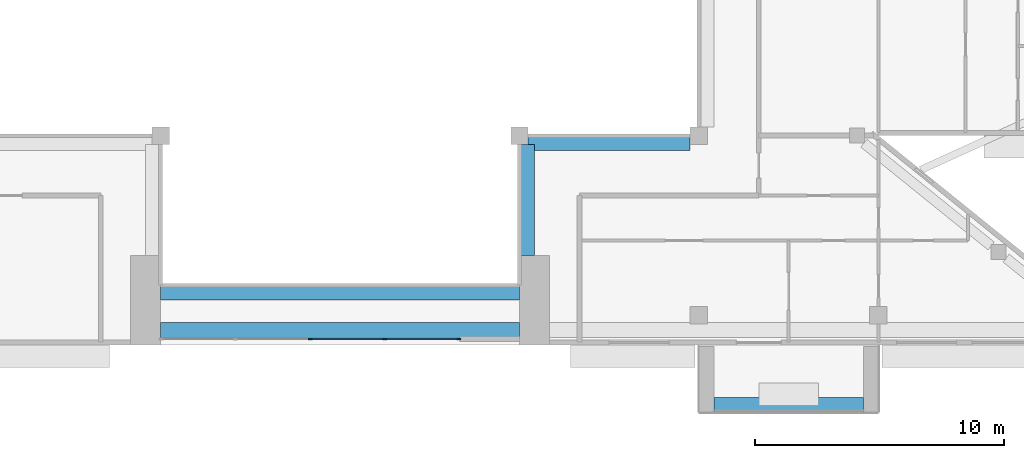
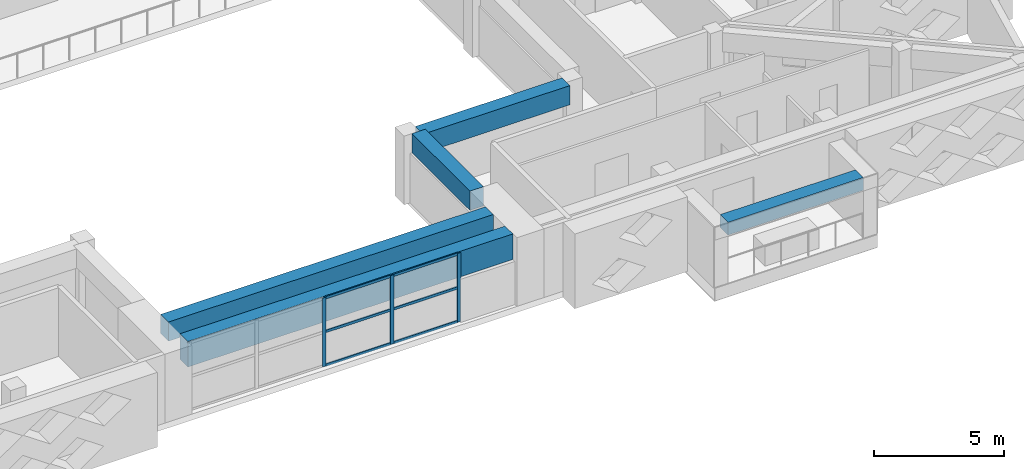
# One storey, part 4 of 19: 9 members, 5 beams, 1 element without a shape of its own.
"""IFC4 building model written with IfcOpenShell, lengths in metres."""

from ifc_helpers import new_model, si_unit, direction, frame, origin, origin_2d, place, context, subcontext, project, spatial, rectangle, extrude, source, transform, mapped, material, layer, layer_set, material_profile, profile_set, type_object, element, aggregate, save


model = new_model("IFC4")

# Units and contexts
model_context = context("Model", 3, precision=1e-05, world=origin(), true_north=direction((0.0, 1.0)))
body_context = subcontext(model_context, "Body", "Model", "MODEL_VIEW")
ifc_project = project(units=[si_unit("LENGTHUNIT", "METRE"), si_unit("AREAUNIT", "SQUARE_METRE"), si_unit("VOLUMEUNIT", "CUBIC_METRE"), si_unit("PLANEANGLEUNIT", "RADIAN"), si_unit("MASSUNIT", "GRAM", prefix="KILO")], contexts=[model_context])

# Site, building, storey
site_placement = place(None, origin())
site = spatial("IfcSite", under=ifc_project, at=site_placement, CompositionType="ELEMENT")
building_placement = place(site_placement, origin())
building = spatial("IfcBuilding", under=site, at=building_placement, Name="Saffron Iwan Residences", CompositionType="ELEMENT")
storey_placement = place(building_placement, frame((0.0, 0.0, 253.5)))
storey = spatial("IfcBuildingStorey", under=building, at=storey_placement, Name="L68", CompositionType="ELEMENT", Elevation=253.5)

# Beams
ifc_material_1 = material(Name="Concrete C40/50", Category="concrete")
ifc_material_profile_1 = material_profile(ifc_material_1, rectangle(XDim=0.60009765625, YDim=1.199951171875, at=origin_2d()), Name="RC 600x1200")
ifc_profile_set_1 = profile_set([ifc_material_profile_1], Name="Concrete C40/50")
beam_type_1 = type_object("IfcBeamType", Name="LINTEL BEAM RC 600x1200 C40/50 TOP 3220", PredefinedType="LINTEL", material=ifc_profile_set_1)
shared_shape_1 = source(origin(), body_context, "Body", "SweptSolid", [
    extrude(rectangle(XDim=0.60009765625, YDim=1.199951171875, at=origin_2d()), origin(), (0.0, 0.0, 1.0), 14.400146484375),
])
beam_1_placement = place(storey_placement, frame((57.60009765625, 40.199951171875, 2.6201171875), z_axis=(-1.0, 0.0, 0.0), x_axis=(0.0, -1.0, 0.0)))
element("IfcBeam", 1, at=beam_1_placement, inside=storey, type_object=beam_type_1, Name="Lintel beam over the iwan", PredefinedType="LINTEL", context=body_context, shape_type="MappedRepresentation", body=[
    mapped(shared_shape_1, transform((0.0, 0.0, 0.0))),
])
ifc_material_profile_2 = material_profile(ifc_material_1, rectangle(XDim=0.60009765625, YDim=0.89990234375, at=origin_2d()), Name="RC 600x900")
ifc_profile_set_2 = profile_set([ifc_material_profile_2], Name="Concrete C40/50")
beam_type_2 = type_object("IfcBeamType", Name="BEAM RC 600x900 C40/50 TOP 3220", PredefinedType="BEAM", material=ifc_profile_set_2)
shared_shape_2 = source(origin(), body_context, "Body", "SweptSolid", [
    extrude(rectangle(XDim=0.60009765625, YDim=0.89990234375, at=origin_2d()), origin(), (0.0, 0.0, 1.0), 14.400146484375),
])
beam_2_placement = place(storey_placement, frame((57.60009765625, 41.699951171875, 2.77001953125), z_axis=(-1.0, 0.0, 0.0), x_axis=(0.0, -1.0, 0.0)))
element("IfcBeam", 2, at=beam_2_placement, inside=storey, type_object=beam_type_2, Name="Atrium edge beam", PredefinedType="BEAM", context=body_context, shape_type="MappedRepresentation", body=[
    mapped(shared_shape_2, transform((0.0, 0.0, 0.0))),
])
shared_shape_3 = source(origin(), body_context, "Body", "SweptSolid", [
    extrude(rectangle(XDim=0.60009765625, YDim=0.89990234375, at=origin_2d()), origin(), (0.0, 0.0, 1.0), 4.449951171875),
])
beam_3_placement = place(storey_placement, frame((57.89990234375, 47.64990234375, 2.77001953125), z_axis=(0.0, -1.0, 0.0), x_axis=(1.0, 0.0, 0.0)))
element("IfcBeam", 3, at=beam_3_placement, inside=storey, type_object=beam_type_2, Name="Atrium edge beam", PredefinedType="BEAM", context=body_context, shape_type="MappedRepresentation", body=[
    mapped(shared_shape_3, transform((0.0, 0.0, 0.0))),
])
shared_shape_4 = source(origin(), body_context, "Body", "SweptSolid", [
    extrude(rectangle(XDim=0.60009765625, YDim=0.89990234375, at=origin_2d()), origin(), (0.0, 0.0, 1.0), 6.5),
])
beam_4_placement = place(storey_placement, frame((64.449951171875, 47.699951171875, 2.77001953125), z_axis=(-1.0, 0.0, 0.0), x_axis=(0.0, -1.0, 0.0)))
element("IfcBeam", 4, at=beam_4_placement, inside=storey, type_object=beam_type_2, Name="Atrium edge beam", PredefinedType="BEAM", context=body_context, shape_type="MappedRepresentation", body=[
    mapped(shared_shape_4, transform((0.0, 0.0, 0.0))),
])

# Curtain wall, members
ifc_material_2 = material(Name="Clear glass, laminated double glazed", Category="glass")
ifc_layer = layer(ifc_material_2, 0.199951171875)
ifc_layer_set = layer_set([ifc_layer], Name="Clear glass, laminated double glazed")
curtain_wall_type = type_object("IfcCurtainWallType", Name="CW-B IWAN PORTAL", PredefinedType="NOTDEFINED", material=ifc_layer_set)
curtain_wall_placement = place(storey_placement, origin())
curtain_wall = element("IfcCurtainWall", 5, at=curtain_wall_placement, inside=storey, type_object=curtain_wall_type, Name="Iwan portal glazing L68.1", PredefinedType="NOTDEFINED")
ifc_material_3 = material(Name="Aluminium 6063-T6", Category="aluminium")
ifc_material_profile_3 = material_profile(ifc_material_3, rectangle(XDim=0.06005859375, YDim=0.1201171875, at=origin_2d()), Name="CW-B TRANSOM 60 x 120")
ifc_profile_set_3 = profile_set([ifc_material_profile_3], Name="Aluminium 6063-T6")
member_type_1 = type_object("IfcMemberType", Name="CW-B TRANSOM 60 x 120", PredefinedType="USERDEFINED", material=ifc_profile_set_3)
shared_shape_5 = source(origin(), body_context, "Body", "SweptSolid", [
    extrude(rectangle(XDim=0.06005859375, YDim=0.1201171875, at=origin_2d()), origin(), (0.0, 0.0, 1.0), 2.909912109375),
])
member_1_placement = place(storey_placement, frame((52.22998046875, 39.85009765625, 0.030029296875), z_axis=(1.0, 0.0, 0.0), x_axis=(0.0, 1.0, 0.0)))
member_1 = element("IfcMember", 6, at=member_1_placement, type_object=member_type_1, Name="CW-B transom 4.1", ObjectType="TRANSOM", PredefinedType="USERDEFINED", context=body_context, shape_type="MappedRepresentation", body=[
    mapped(shared_shape_5, transform((0.0, 0.0, 0.0))),
])
member_2_placement = place(storey_placement, frame((52.22998046875, 39.85009765625, 1.610107421875), z_axis=(1.0, 0.0, 0.0), x_axis=(0.0, 1.0, 0.0)))
member_2 = element("IfcMember", 7, at=member_2_placement, type_object=member_type_1, Name="CW-B transom 4.2", ObjectType="TRANSOM", PredefinedType="USERDEFINED", context=body_context, shape_type="MappedRepresentation", body=[
    mapped(shared_shape_5, transform((0.0, 0.0, 0.0))),
])
member_3_placement = place(storey_placement, frame((52.22998046875, 39.85009765625, 3.18994140625), z_axis=(1.0, 0.0, 0.0), x_axis=(0.0, 1.0, 0.0)))
member_3 = element("IfcMember", 8, at=member_3_placement, type_object=member_type_1, Name="CW-B transom 4.3", ObjectType="TRANSOM", PredefinedType="USERDEFINED", context=body_context, shape_type="MappedRepresentation", body=[
    mapped(shared_shape_5, transform((0.0, 0.0, 0.0))),
])
shared_shape_6 = source(origin(), body_context, "Body", "SweptSolid", [
    extrude(rectangle(XDim=0.06005859375, YDim=0.1201171875, at=origin_2d()), origin(), (0.0, 0.0, 1.0), 2.93994140625),
])
member_4_placement = place(storey_placement, frame((49.22998046875, 39.85009765625, 0.030029296875), z_axis=(1.0, 0.0, 0.0), x_axis=(0.0, 1.0, 0.0)))
member_4 = element("IfcMember", 9, at=member_4_placement, type_object=member_type_1, Name="CW-B transom 3.1", ObjectType="TRANSOM", PredefinedType="USERDEFINED", context=body_context, shape_type="MappedRepresentation", body=[
    mapped(shared_shape_6, transform((0.0, 0.0, 0.0))),
])
member_5_placement = place(storey_placement, frame((49.22998046875, 39.85009765625, 1.610107421875), z_axis=(1.0, 0.0, 0.0), x_axis=(0.0, 1.0, 0.0)))
member_5 = element("IfcMember", 10, at=member_5_placement, type_object=member_type_1, Name="CW-B transom 3.2", ObjectType="TRANSOM", PredefinedType="USERDEFINED", context=body_context, shape_type="MappedRepresentation", body=[
    mapped(shared_shape_6, transform((0.0, 0.0, 0.0))),
])
member_6_placement = place(storey_placement, frame((49.22998046875, 39.85009765625, 3.18994140625), z_axis=(1.0, 0.0, 0.0), x_axis=(0.0, 1.0, 0.0)))
member_6 = element("IfcMember", 11, at=member_6_placement, type_object=member_type_1, Name="CW-B transom 3.3", ObjectType="TRANSOM", PredefinedType="USERDEFINED", context=body_context, shape_type="MappedRepresentation", body=[
    mapped(shared_shape_6, transform((0.0, 0.0, 0.0))),
])

# Beam
ifc_material_4 = material(Name="Concrete C50/60 white painted", Category="concrete")
ifc_material_profile_4 = material_profile(ifc_material_4, rectangle(XDim=0.60009765625, YDim=0.60009765625, at=origin_2d()), Name="BALCONY FASCIA BEAM 600 x 600")
ifc_profile_set_4 = profile_set([ifc_material_profile_4], Name="Concrete C50/60 white painted")
beam_type_3 = type_object("IfcBeamType", Name="BALCONY FASCIA BEAM 600 x 600", PredefinedType="BEAM", material=ifc_profile_set_4)
shared_shape_7 = source(origin(), body_context, "Body", "SweptSolid", [
    extrude(rectangle(XDim=0.60009765625, YDim=0.60009765625, at=origin_2d()), origin(), (0.0, 0.0, 1.0), 6.0),
])
beam_5_placement = place(storey_placement, frame((65.39990234375, 37.199951171875, 2.550048828125), z_axis=(1.0, 0.0, 0.0), x_axis=(0.0, 1.0, 0.0)))
element("IfcBeam", 12, at=beam_5_placement, inside=storey, type_object=beam_type_3, Name="Balcony fascia beam L68 11-0", PredefinedType="BEAM", context=body_context, shape_type="MappedRepresentation", body=[
    mapped(shared_shape_7, transform((0.0, 0.0, 0.0))),
])

# Member
ifc_material_profile_5 = material_profile(ifc_material_3, rectangle(XDim=0.06005859375, YDim=0.159912109375, at=origin_2d()), Name="CW-B MULLION 60 x 160")
ifc_profile_set_5 = profile_set([ifc_material_profile_5], Name="Aluminium 6063-T6")
member_type_2 = type_object("IfcMemberType", Name="CW-B MULLION 60 x 160", PredefinedType="MULLION", material=ifc_profile_set_5)
shared_shape_8 = source(origin(), body_context, "Body", "SweptSolid", [
    extrude(rectangle(XDim=0.06005859375, YDim=0.159912109375, at=origin_2d()), origin(), (0.0, 0.0, 1.0), 3.219970703125),
])
member_7_placement = place(storey_placement, frame((49.199951171875, 39.85009765625, 0.0), z_axis=(0.0, 0.0, 1.0), x_axis=(0.0, 1.0, 0.0)))
member_7 = element("IfcMember", 13, at=member_7_placement, type_object=member_type_2, Name="CW-B mullion 3", PredefinedType="MULLION", context=body_context, shape_type="MappedRepresentation", body=[
    mapped(shared_shape_8, transform((0.0, 0.0, 0.0))),
])

member_8_placement = place(storey_placement, frame((52.199951171875, 39.85009765625, 0.0), z_axis=(0.0, 0.0, 1.0), x_axis=(0.0, 1.0, 0.0)))
member_8 = element("IfcMember", 14, at=member_8_placement, type_object=member_type_2, Name="CW-B mullion 4", PredefinedType="MULLION", context=body_context, shape_type="MappedRepresentation", body=[
    mapped(shared_shape_8, transform((0.0, 0.0, 0.0))),
])

member_9_placement = place(storey_placement, frame((55.169921875, 39.85009765625, 0.0), z_axis=(0.0, 0.0, 1.0), x_axis=(0.0, 1.0, 0.0)))
member_9 = element("IfcMember", 15, at=member_9_placement, type_object=member_type_2, Name="CW-B mullion 5", PredefinedType="MULLION", context=body_context, shape_type="MappedRepresentation", body=[
    mapped(shared_shape_8, transform((0.0, 0.0, 0.0))),
])

aggregate(curtain_wall, [member_7, member_8, member_9, member_4, member_5, member_6, member_1, member_2, member_3])

save(model, "model.ifc")
